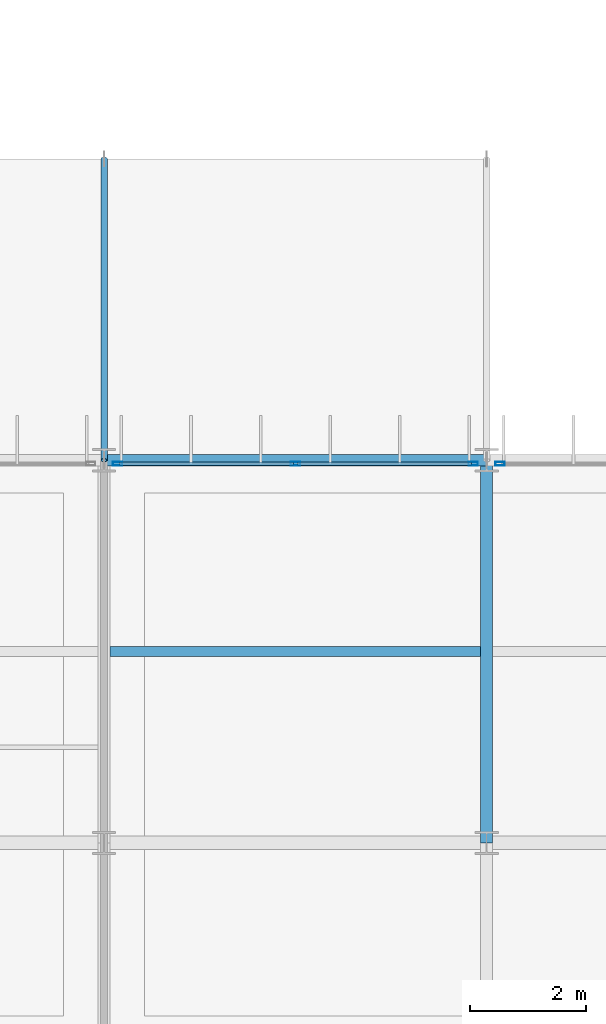
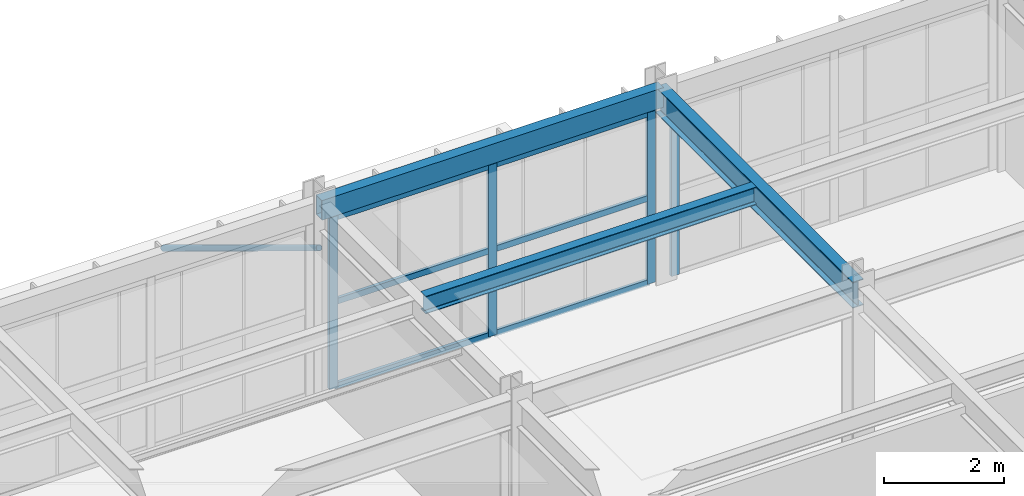
# One storey, part 58 of 148: 11 members, 3 beams, 2 elements without a shape of their own.
"""IFC4 building model written with IfcOpenShell, lengths in metres."""

from ifc_helpers import new_model, si_unit, direction, frame, origin, origin_2d, place, context, subcontext, project, spatial, hollow_rectangle, hollow_circle, i_section, extrude, material, material_profile, profile_set, type_object, element, aggregate, save


model = new_model("IFC4")

# Units and contexts
model_context = context("Model", 3, precision=1e-05, world=origin(), true_north=direction((0.0, 1.0)))
body_context = subcontext(model_context, "Body", "Model", "MODEL_VIEW")
ifc_project = project(units=[si_unit("LENGTHUNIT", "METRE"), si_unit("AREAUNIT", "SQUARE_METRE"), si_unit("VOLUMEUNIT", "CUBIC_METRE"), si_unit("PLANEANGLEUNIT", "RADIAN"), si_unit("MASSUNIT", "GRAM", prefix="KILO")], contexts=[model_context])

# Site, building, storey
site_placement = place(None, origin())
site = spatial("IfcSite", under=ifc_project, at=site_placement, CompositionType="ELEMENT")
building_placement = place(site_placement, origin())
building = spatial("IfcBuilding", under=site, at=building_placement, Name="Karori Crest Natural Sciences Institute", CompositionType="ELEMENT")
storey_placement = place(building_placement, frame((0.0, 0.0, 4.89990234375)))
storey = spatial("IfcBuildingStorey", under=building, at=storey_placement, Name="L01", CompositionType="ELEMENT", Elevation=4.89990234375)

# Beams
ifc_material_1 = material(Name="Structural steel AS/NZS 3679.1 Grade 350", Category="steel")
ifc_material_profile_1 = material_profile(ifc_material_1, i_section(OverallWidth=0.208984375, OverallDepth=0.532958984375, WebThickness=0.01025390625, FlangeThickness=0.015625, FilletRadius=0.013916015625, at=origin_2d()), Name="530UB92.4")
ifc_profile_set_1 = profile_set([ifc_material_profile_1], Name="Structural steel AS/NZS 3679.1 Grade 350")
beam_type_1 = type_object("IfcBeamType", Name="BT-05", PredefinedType="BEAM", material=ifc_profile_set_1)
beam_1_placement = place(storey_placement, frame((123.39990234375, 14.0, 3.653564453125), z_axis=(0.0, 1.0, 0.0), x_axis=(-1.0, 0.0, 0.0)))
element("IfcBeam", 1, at=beam_1_placement, inside=storey, type_object=beam_type_1, Name="Beam B-2153", PredefinedType="BEAM", context=body_context, shape_type="SweptSolid", body=[
    extrude(i_section(OverallWidth=0.208984375, OverallDepth=0.532958984375, WebThickness=0.01025390625, FlangeThickness=0.015625, FilletRadius=0.013916015625, at=origin_2d()), origin(), (0.0, 0.0, 1.0), 6.60009765625),
])
ifc_material_profile_2 = material_profile(ifc_material_1, i_section(OverallWidth=0.172119140625, OverallDepth=0.35888671875, WebThickness=0.008056640625, FlangeThickness=0.012939453125, FilletRadius=0.010986328125, at=origin_2d()), Name="360UB56.7")
ifc_profile_set_2 = profile_set([ifc_material_profile_2], Name="Structural steel AS/NZS 3679.1 Grade 350")
beam_type_2 = type_object("IfcBeamType", Name="BT-08", PredefinedType="BEAM", material=ifc_profile_set_2)
beam_2_placement = place(storey_placement, frame((116.904541015625, 17.300048828125, 3.740478515625), z_axis=(1.0, 0.0, 0.0), x_axis=(0.0, 1.0, 0.0)))
element("IfcBeam", 2, at=beam_2_placement, inside=storey, type_object=beam_type_2, Name="Beam B-2179", PredefinedType="BEAM", context=body_context, shape_type="SweptSolid", body=[
    extrude(i_section(OverallWidth=0.172119140625, OverallDepth=0.35888671875, WebThickness=0.008056640625, FlangeThickness=0.012939453125, FilletRadius=0.010986328125, at=origin_2d()), origin(), (0.0, 0.0, 1.0), 6.390869140625),
])
ifc_material_2 = material(Name="Hollow structural steel AS/NZS 1163 Grade C350", Category="steel")
ifc_material_profile_3 = material_profile(ifc_material_2, hollow_rectangle(XDim=0.199951171875, YDim=0.39990234375, WallThickness=0.012451171875, at=origin_2d()), Name="RHS400x200x12.5")
ifc_profile_set_3 = profile_set([ifc_material_profile_3], Name="Hollow structural steel AS/NZS 1163 Grade C350")
beam_type_3 = type_object("IfcBeamType", Name="BT-14", PredefinedType="SPANDREL", material=ifc_profile_set_3)
beam_3_placement = place(storey_placement, frame((116.800048828125, 20.60009765625, 3.72021484375), z_axis=(1.0, 0.0, 0.0), x_axis=(0.0, 1.0, 0.0)))
element("IfcBeam", 3, at=beam_3_placement, inside=storey, type_object=beam_type_3, Name="Beam B-2135", PredefinedType="SPANDREL", context=body_context, shape_type="SweptSolid", body=[
    extrude(hollow_rectangle(XDim=0.199951171875, YDim=0.39990234375, WallThickness=0.012451171875, at=origin_2d()), origin(), (0.0, 0.0, 1.0), 6.599853515625),
])

# Curtain wall, members
ifc_material_3 = material(Name="Anodised architectural aluminium 6063-T6", Category="aluminium")
curtain_wall_type = type_object("IfcCurtainWallType", Name="CWT-20", PredefinedType="NOTDEFINED", material=ifc_material_3)
curtain_wall_1_placement = place(storey_placement, origin())
curtain_wall_1 = element("IfcCurtainWall", 4, at=curtain_wall_1_placement, inside=storey, type_object=curtain_wall_type, Name="Curtain wall CW-0306", PredefinedType="NOTDEFINED")
ifc_material_profile_4 = material_profile(ifc_material_3, hollow_rectangle(XDim=0.06494140625, YDim=0.159912109375, WallThickness=0.00390625, at=origin_2d()), Name="CWM160x65x4")
ifc_profile_set_4 = profile_set([ifc_material_profile_4], Name="Anodised architectural aluminium 6063-T6")
member_type_1 = type_object("IfcMemberType", Name="CWM-01", PredefinedType="MULLION", material=ifc_profile_set_4)
member_1_placement = place(storey_placement, frame((117.030517578125, 20.5400390625, 0.0), z_axis=(0.0, 0.0, 1.0), x_axis=(0.0, 1.0, 0.0)))
member_1 = element("IfcMember", 5, at=member_1_placement, type_object=member_type_1, Name="CW-0306 mullion 1", PredefinedType="MULLION", context=body_context, shape_type="SweptSolid", body=[
    extrude(hollow_rectangle(XDim=0.06494140625, YDim=0.159912109375, WallThickness=0.00390625, at=origin_2d()), origin(), (0.0, 0.0, 1.0), 3.505126953125),
])
member_2_placement = place(storey_placement, frame((120.10009765625, 20.5400390625, 0.0), z_axis=(0.0, 0.0, 1.0), x_axis=(0.0, 1.0, 0.0)))
member_2 = element("IfcMember", 6, at=member_2_placement, type_object=member_type_1, Name="CW-0306 mullion 2", PredefinedType="MULLION", context=body_context, shape_type="SweptSolid", body=[
    extrude(hollow_rectangle(XDim=0.06494140625, YDim=0.159912109375, WallThickness=0.00390625, at=origin_2d()), origin(), (0.0, 0.0, 1.0), 3.505126953125),
])
member_3_placement = place(storey_placement, frame((123.16943359375, 20.5400390625, 0.0), z_axis=(0.0, 0.0, 1.0), x_axis=(0.0, 1.0, 0.0)))
member_3 = element("IfcMember", 7, at=member_3_placement, type_object=member_type_1, Name="CW-0306 mullion 3", PredefinedType="MULLION", context=body_context, shape_type="SweptSolid", body=[
    extrude(hollow_rectangle(XDim=0.06494140625, YDim=0.159912109375, WallThickness=0.00390625, at=origin_2d()), origin(), (0.0, 0.0, 1.0), 3.505126953125),
])

# Curtain wall, member
curtain_wall_2_placement = place(storey_placement, origin())
curtain_wall_2 = element("IfcCurtainWall", 8, at=curtain_wall_2_placement, inside=storey, type_object=curtain_wall_type, Name="Curtain wall CW-0307", PredefinedType="NOTDEFINED")
member_4_placement = place(storey_placement, frame((123.630615234375, 20.5400390625, 0.0), z_axis=(0.0, 0.0, 1.0), x_axis=(0.0, 1.0, 0.0)))
member_4 = element("IfcMember", 9, at=member_4_placement, type_object=member_type_1, Name="CW-0307 mullion 1", PredefinedType="MULLION", context=body_context, shape_type="SweptSolid", body=[
    extrude(hollow_rectangle(XDim=0.06494140625, YDim=0.159912109375, WallThickness=0.00390625, at=origin_2d()), origin(), (0.0, 0.0, 1.0), 3.505126953125),
])
aggregate(curtain_wall_2, [member_4])

# Member
ifc_material_profile_5 = material_profile(ifc_material_3, hollow_rectangle(XDim=0.06005859375, YDim=0.1201171875, WallThickness=0.00390625, at=origin_2d()), Name="CWT120x60x4")
ifc_profile_set_5 = profile_set([ifc_material_profile_5], Name="Anodised architectural aluminium 6063-T6")
member_type_2 = type_object("IfcMemberType", Name="CWT-TR1", PredefinedType="USERDEFINED", material=ifc_profile_set_5)
member_5_placement = place(storey_placement, frame((117.06298828125, 20.5400390625, 0.030029296875), z_axis=(1.0, 0.0, 0.0), x_axis=(0.0, 1.0, 0.0)))
member_5 = element("IfcMember", 10, at=member_5_placement, type_object=member_type_2, Name="CW-0306 transom 1.1", ObjectType="TRANSOM", PredefinedType="USERDEFINED", context=body_context, shape_type="SweptSolid", body=[
    extrude(hollow_rectangle(XDim=0.06005859375, YDim=0.1201171875, WallThickness=0.00390625, at=origin_2d()), origin(), (0.0, 0.0, 1.0), 3.00439453125),
])

member_6_placement = place(storey_placement, frame((117.06298828125, 20.5400390625, 1.752685546875), z_axis=(1.0, 0.0, 0.0), x_axis=(0.0, 1.0, 0.0)))
member_6 = element("IfcMember", 11, at=member_6_placement, type_object=member_type_2, Name="CW-0306 transom 1.2", ObjectType="TRANSOM", PredefinedType="USERDEFINED", context=body_context, shape_type="SweptSolid", body=[
    extrude(hollow_rectangle(XDim=0.06005859375, YDim=0.1201171875, WallThickness=0.00390625, at=origin_2d()), origin(), (0.0, 0.0, 1.0), 3.00439453125),
])

member_7_placement = place(storey_placement, frame((117.06298828125, 20.5400390625, 3.47509765625), z_axis=(1.0, 0.0, 0.0), x_axis=(0.0, 1.0, 0.0)))
member_7 = element("IfcMember", 12, at=member_7_placement, type_object=member_type_2, Name="CW-0306 transom 1.3", ObjectType="TRANSOM", PredefinedType="USERDEFINED", context=body_context, shape_type="SweptSolid", body=[
    extrude(hollow_rectangle(XDim=0.06005859375, YDim=0.1201171875, WallThickness=0.00390625, at=origin_2d()), origin(), (0.0, 0.0, 1.0), 3.00439453125),
])

member_8_placement = place(storey_placement, frame((120.132568359375, 20.5400390625, 0.030029296875), z_axis=(1.0, 0.0, 0.0), x_axis=(0.0, 1.0, 0.0)))
member_8 = element("IfcMember", 13, at=member_8_placement, type_object=member_type_2, Name="CW-0306 transom 2.1", ObjectType="TRANSOM", PredefinedType="USERDEFINED", context=body_context, shape_type="SweptSolid", body=[
    extrude(hollow_rectangle(XDim=0.06005859375, YDim=0.1201171875, WallThickness=0.00390625, at=origin_2d()), origin(), (0.0, 0.0, 1.0), 3.00439453125),
])

member_9_placement = place(storey_placement, frame((120.132568359375, 20.5400390625, 1.752685546875), z_axis=(1.0, 0.0, 0.0), x_axis=(0.0, 1.0, 0.0)))
member_9 = element("IfcMember", 14, at=member_9_placement, type_object=member_type_2, Name="CW-0306 transom 2.2", ObjectType="TRANSOM", PredefinedType="USERDEFINED", context=body_context, shape_type="SweptSolid", body=[
    extrude(hollow_rectangle(XDim=0.06005859375, YDim=0.1201171875, WallThickness=0.00390625, at=origin_2d()), origin(), (0.0, 0.0, 1.0), 3.00439453125),
])

member_10_placement = place(storey_placement, frame((120.132568359375, 20.5400390625, 3.47509765625), z_axis=(1.0, 0.0, 0.0), x_axis=(0.0, 1.0, 0.0)))
member_10 = element("IfcMember", 15, at=member_10_placement, type_object=member_type_2, Name="CW-0306 transom 2.3", ObjectType="TRANSOM", PredefinedType="USERDEFINED", context=body_context, shape_type="SweptSolid", body=[
    extrude(hollow_rectangle(XDim=0.06005859375, YDim=0.1201171875, WallThickness=0.00390625, at=origin_2d()), origin(), (0.0, 0.0, 1.0), 3.00439453125),
])

aggregate(curtain_wall_1, [member_1, member_2, member_3, member_5, member_6, member_7, member_8, member_9, member_10])

ifc_material_profile_6 = material_profile(ifc_material_2, hollow_circle(Radius=0.05712890625, WallThickness=0.006103515625, at=origin_2d()), Name="CHS114.3x6.0")
ifc_profile_set_6 = profile_set([ifc_material_profile_6], Name="Hollow structural steel AS/NZS 1163 Grade C350")
member_type_3 = type_object("IfcMemberType", Name="MT-19", PredefinedType="STRUT", material=ifc_profile_set_6)
member_11_placement = place(storey_placement, frame((116.800048828125, 25.800048828125, -0.260009765625), z_axis=(0.0, -0.854565586417, 0.519343487984), x_axis=(1.0, 0.0, 0.0)))
element("IfcMember", 16, at=member_11_placement, inside=storey, type_object=member_type_3, Name="Member M-0498", PredefinedType="STRUT", context=body_context, shape_type="SweptSolid", body=[
    extrude(hollow_circle(Radius=0.05712890625, WallThickness=0.006103515625, at=origin_2d()), origin(), (0.0, 0.0, 1.0), 6.0849609375),
])

save(model, "model.ifc")
